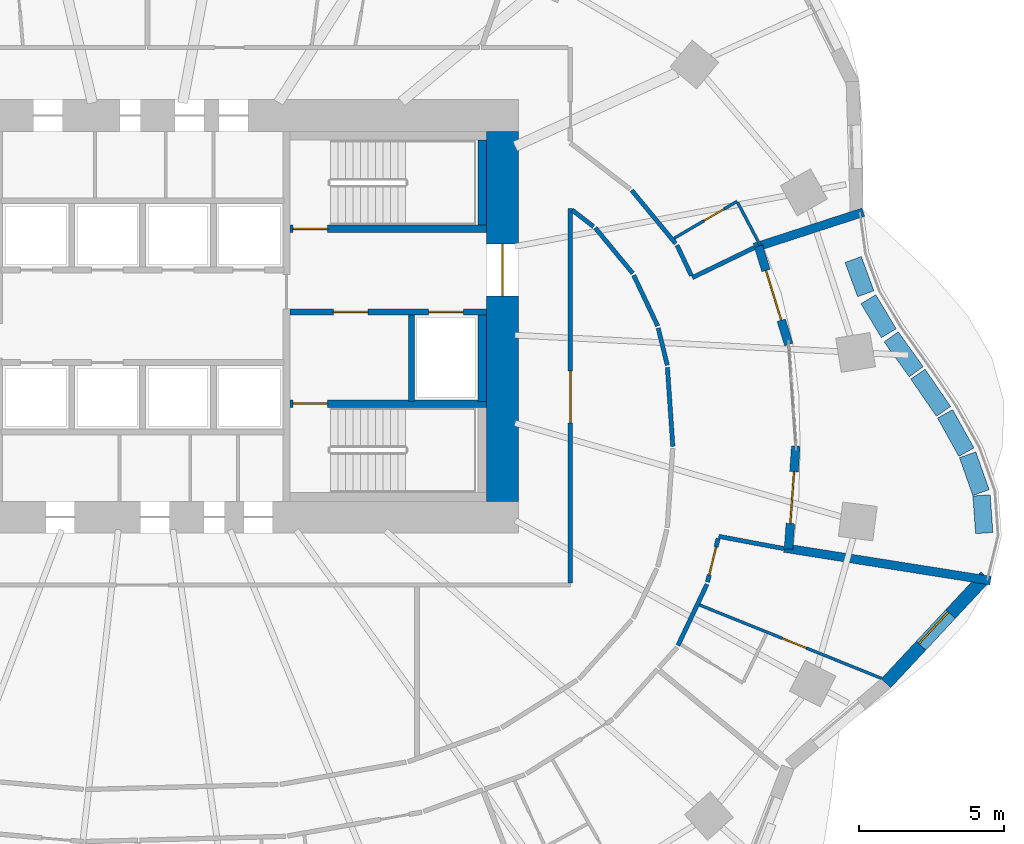
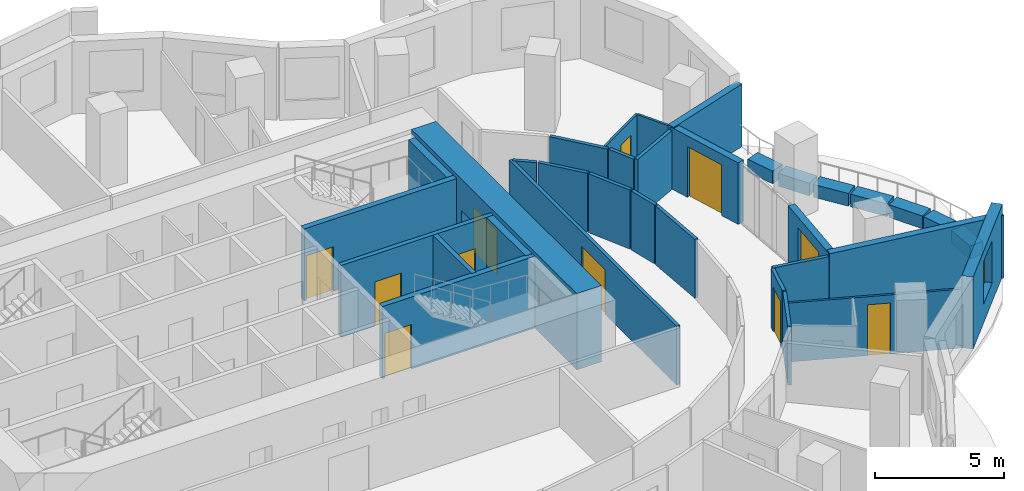
# One storey, part 8 of 13: 34 walls, 11 doors, 1 window, 12 openings.
"""IFC4 building model written with IfcOpenShell, lengths in metres."""

from ifc_helpers import new_model, si_unit, direction, frame, frame_2d, origin, place, context, subcontext, project, spatial, rectangle, extrude, material, layer, layer_set, type_object, element, fill, save


model = new_model("IFC4")

# Units and contexts
model_context = context("Model", 3, precision=1e-05, world=origin(), true_north=direction((0.0, 1.0)))
body_context = subcontext(model_context, "Body", "Model", "MODEL_VIEW")
ifc_project = project(units=[si_unit("LENGTHUNIT", "METRE"), si_unit("AREAUNIT", "SQUARE_METRE"), si_unit("VOLUMEUNIT", "CUBIC_METRE"), si_unit("PLANEANGLEUNIT", "RADIAN"), si_unit("MASSUNIT", "GRAM", prefix="KILO")], contexts=[model_context])

# Site, building, storey
site_placement = place(None, origin())
site = spatial("IfcSite", under=ifc_project, at=site_placement, CompositionType="ELEMENT")
building_placement = place(site_placement, origin())
building = spatial("IfcBuilding", under=site, at=building_placement, Name="Rubra Terraces Tower", CompositionType="ELEMENT")
storey_placement = place(building_placement, frame((0.0, 0.0, 85.199951171875)))
storey = spatial("IfcBuildingStorey", under=building, at=storey_placement, Name="L19", CompositionType="ELEMENT", Elevation=85.199951171875)

# Wall, opening, window
ifc_material_1 = material(Name="Brick masonry red-brown", Category="masonry")
ifc_layer_1 = layer(ifc_material_1, 0.449951171875)
ifc_layer_set_1 = layer_set([ifc_layer_1], Name="Brick masonry red-brown")
wall_type_1 = type_object("IfcWallType", Name="Brick facade wall 450", PredefinedType="SOLIDWALL", material=ifc_layer_set_1)
wall_1_placement = place(storey_placement, frame((25.716796875, -8.20068359375, 0.0), z_axis=(0.0, 0.0, 1.0), x_axis=(0.681990073025, 0.731361429319, 0.0)))
wall_1 = element("IfcWall", 1, at=wall_1_placement, inside=storey, type_object=wall_type_1, Name="Facade wall L19 bay 39", PredefinedType="SOLIDWALL", context=body_context, shape_type="SweptSolid", body=[
    extrude(rectangle(XDim=5.063720703125, YDim=0.449951171875, at=frame_2d((2.53173828125, 0.0))), origin(), (0.0, 0.0, 1.0), 3.400146484375),
])
opening_1_placement = place(wall_1_placement, frame((1.78173828125, 0.0, 0.89990234375)))
opening_1 = element("IfcOpeningElement", 2, at=opening_1_placement, cuts=wall_1, Name="Opening W7", PredefinedType="OPENING", context=body_context, shape_type="SweptSolid", body=[
    extrude(rectangle(XDim=1.5, YDim=2.0, at=frame_2d((0.75, 1.0))), frame((0.0, 0.23486328125, 0.0), z_axis=(0.0, -1.0, 0.0), x_axis=(1.0, 0.0, 0.0)), (0.0, 0.0, 1.0), 0.469970703125),
])
ifc_material_2 = material(Name="Clear glass in aluminium frame", Category="aluminium")
window_type = type_object("IfcWindowType", Name="Fixed deep-set window beside terrace 1500 x 2000", PartitioningType="SINGLE_PANEL", PredefinedType="WINDOW", material=ifc_material_2)
window_placement = place(opening_1_placement, origin())
window = element("IfcWindow", 3, at=window_placement, inside=storey, type_object=window_type, Name="Window L19 bay 39", OverallHeight=2.0, OverallWidth=1.5, PartitioningType="SINGLE_PANEL", PredefinedType="WINDOW", context=body_context, shape_type="SweptSolid", body=[
    extrude(rectangle(XDim=1.5, YDim=2.0, at=frame_2d((0.75, 1.0))), frame((0.0, 0.135009765625, 0.0), z_axis=(0.0, -1.0, 0.0), x_axis=(1.0, 0.0, 0.0)), (0.0, 0.0, 1.0), 0.06005859375),
])
fill(opening_1, window)

# Wall, opening, door
ifc_material_3 = material(Name="Concrete C60", Category="concrete")
ifc_layer_2 = layer(ifc_material_3, 1.10009765625)
ifc_layer_set_2 = layer_set([ifc_layer_2], Name="Concrete C60")
wall_type_2 = type_object("IfcWallType", Name="CORE WALL 1100 C60", PredefinedType="SHEAR", material=ifc_layer_set_2)
wall_2_placement = place(storey_placement, frame((12.449951171875, -1.89990234375, 0.0), z_axis=(0.0, 0.0, 1.0), x_axis=(0.0, 1.0, 0.0)))
wall_2 = element("IfcWall", 4, at=wall_2_placement, inside=storey, type_object=wall_type_2, Name="CORE WALL E L19", PredefinedType="SHEAR", context=body_context, shape_type="SweptSolid", body=[
    extrude(rectangle(XDim=12.7998046875, YDim=1.10009765625, at=frame_2d((6.39990234375, 0.0))), origin(), (0.0, 0.0, 1.0), 3.60009765625),
])
opening_2_placement = place(wall_2_placement, frame((7.10009765625, 0.0, 0.0)))
opening_2 = element("IfcOpeningElement", 5, at=opening_2_placement, cuts=wall_2, Name="Opening L19.C02", PredefinedType="OPENING", context=body_context, shape_type="SweptSolid", body=[
    extrude(rectangle(XDim=1.800048828125, YDim=2.10009765625, at=frame_2d((0.89990234375, 1.050048828125))), frame((0.0, 0.56005859375, 0.0), z_axis=(0.0, -1.0, 0.0), x_axis=(1.0, 0.0, 0.0)), (0.0, 0.0, 1.0), 1.1201171875),
])
ifc_material_4 = material(Name="Painted steel", Category="steel")
door_type_1 = type_object("IfcDoorType", Name="Fire door 1800x2100 double", OperationType="NOTDEFINED", PredefinedType="DOOR", material=ifc_material_4)
door_1_placement = place(opening_2_placement, origin())
door_1 = element("IfcDoor", 6, at=door_1_placement, inside=storey, type_object=door_type_1, Name="Core entrance door FF2", OperationType="DOUBLE_DOOR_SINGLE_SWING", OverallHeight=2.10009765625, OverallWidth=1.800048828125, PredefinedType="DOOR", context=body_context, shape_type="SweptSolid", body=[
    extrude(rectangle(XDim=1.800048828125, YDim=2.10009765625, at=frame_2d((0.89990234375, 1.050048828125))), frame((0.0, 0.02490234375, 0.0), z_axis=(0.0, -1.0, 0.0), x_axis=(1.0, 0.0, 0.0)), (0.0, 0.0, 1.0), 0.050048828125),
])
fill(opening_2, door_1)

# Walls
ifc_material_5 = material(Name="Plasterboard on steel stud, mineral wool infill", Category="steel")
ifc_layer_3 = layer(ifc_material_5, 0.14990234375)
ifc_layer_set_3 = layer_set([ifc_layer_3], Name="Plasterboard on steel stud, mineral wool infill")
wall_type_3 = type_object("IfcWallType", Name="CORRIDOR PARTITION 150", PredefinedType="PARTITIONING", material=ifc_layer_set_3)
wall_3_placement = place(storey_placement, frame((22.189208984375, -3.538818359375, 0.0), z_axis=(0.0, 0.0, 1.0), x_axis=(-0.982828866566, 0.184519427283, 0.0)))
element("IfcWall", 7, at=wall_3_placement, inside=storey, type_object=wall_type_3, Name="PARTITION", PredefinedType="PARTITIONING", context=body_context, shape_type="SweptSolid", body=[
    extrude(rectangle(XDim=2.29833984375, YDim=0.14990234375, at=frame_2d((1.149169921875, 0.0))), origin(), (0.0, 0.0, 1.0), 2.783935546875),
])
wall_4_placement = place(storey_placement, frame((21.15869140625, 6.87255859375, 0.0), z_axis=(0.0, 0.0, 1.0), x_axis=(-0.900189148747, -0.435499134876, 0.0)))
element("IfcWall", 8, at=wall_4_placement, inside=storey, type_object=wall_type_3, Name="PARTITION", PredefinedType="PARTITIONING", context=body_context, shape_type="SweptSolid", body=[
    extrude(rectangle(XDim=2.375244140625, YDim=0.14990234375, at=frame_2d((1.1875, 0.0))), origin(), (0.0, 0.0, 1.0), 2.783935546875),
])
wall_5_placement = place(storey_placement, frame((18.988525390625, 5.906005859375, 0.0), z_axis=(0.0, 0.0, 1.0), x_axis=(-0.428176390424, 0.903695180181, 0.0)))
element("IfcWall", 9, at=wall_5_placement, inside=storey, type_object=wall_type_3, Name="PARTITION", PredefinedType="PARTITIONING", context=body_context, shape_type="SweptSolid", body=[
    extrude(rectangle(XDim=1.16552734375, YDim=0.14990234375, at=frame_2d((0.582763671875, 0.0))), origin(), (0.0, 0.0, 1.0), 2.783935546875),
])
wall_6_placement = place(storey_placement, frame((18.44189453125, 7.01708984375, 0.0), z_axis=(0.0, 0.0, 1.0), x_axis=(-0.636538018119, 0.7712453251, 0.0)))
element("IfcWall", 10, at=wall_6_placement, inside=storey, type_object=wall_type_3, Name="PARTITION", PredefinedType="PARTITIONING", context=body_context, shape_type="SweptSolid", body=[
    extrude(rectangle(XDim=2.388671875, YDim=0.14990234375, at=frame_2d((1.1943359375, 0.0))), origin(), (0.0, 0.0, 1.0), 2.783935546875),
])
wall_7_placement = place(storey_placement, frame((18.521728515625, -6.891357421875, 0.0), z_axis=(0.0, 0.0, 1.0), x_axis=(0.428157819028, 0.903703979191, 0.0)))
element("IfcWall", 11, at=wall_7_placement, inside=storey, type_object=wall_type_3, Name="PARTITION", PredefinedType="PARTITIONING", context=body_context, shape_type="SweptSolid", body=[
    extrude(rectangle(XDim=2.349365234375, YDim=0.14990234375, at=frame_2d((1.1748046875, 0.0))), origin(), (0.0, 0.0, 1.0), 2.783935546875),
])

# Wall, opening, door
wall_8_placement = place(storey_placement, frame((19.54541015625, -4.695556640625, 0.0), z_axis=(0.0, 0.0, 1.0), x_axis=(0.236608489862, 0.971605075391, 0.0)))
wall_8 = element("IfcWall", 12, at=wall_8_placement, inside=storey, type_object=wall_type_3, Name="PARTITION", PredefinedType="PARTITIONING", context=body_context, shape_type="SweptSolid", body=[
    extrude(rectangle(XDim=1.5517578125, YDim=0.14990234375, at=frame_2d((0.77587890625, 0.0))), origin(), (0.0, 0.0, 1.0), 2.783935546875),
])
opening_3_placement = place(wall_8_placement, frame((0.25, 0.0, 0.0)))
opening_3 = element("IfcOpeningElement", 13, at=opening_3_placement, cuts=wall_8, Name="Opening 19-129", PredefinedType="OPENING", context=body_context, shape_type="SweptSolid", body=[
    extrude(rectangle(XDim=1.0, YDim=2.10009765625, at=frame_2d((0.5, 1.050048828125))), frame((0.0, 0.0849609375, 0.0), z_axis=(0.0, -1.0, 0.0), x_axis=(1.0, 0.0, 0.0)), (0.0, 0.0, 1.0), 0.169921875),
])
ifc_material_6 = material(Name="Painted timber door leaf", Category="wood")
door_type_2 = type_object("IfcDoorType", Name="ROOM DOOR 1000 X 2100", OperationType="SINGLE_SWING_LEFT", PredefinedType="DOOR", material=ifc_material_6)
door_2_placement = place(opening_3_placement, origin())
door_2 = element("IfcDoor", 14, at=door_2_placement, inside=storey, type_object=door_type_2, Name="DOOR 19-129", OperationType="SINGLE_SWING_RIGHT", OverallHeight=2.10009765625, OverallWidth=1.0, PredefinedType="DOOR", context=body_context, shape_type="SweptSolid", body=[
    extrude(rectangle(XDim=1.0, YDim=2.10009765625, at=frame_2d((0.5, 1.050048828125))), frame((0.0, 0.02490234375, 0.0), z_axis=(0.0, -1.0, 0.0), x_axis=(1.0, 0.0, 0.0)), (0.0, 0.0, 1.0), 0.050048828125),
])
fill(opening_3, door_2)

# Walls
wall_9_placement = place(storey_placement, frame((15.66162109375, 7.557861328125, 0.0), z_axis=(0.0, 0.0, 1.0), x_axis=(0.636500564941, -0.7712762351, 0.0)))
element("IfcWall", 15, at=wall_9_placement, inside=storey, type_object=wall_type_3, Name="PARTITION", PredefinedType="PARTITIONING", context=body_context, shape_type="SweptSolid", body=[
    extrude(rectangle(XDim=2.037841796875, YDim=0.14990234375, at=frame_2d((1.01904296875, 0.0))), origin(), (0.0, 0.0, 1.0), 2.783935546875),
])
wall_10_placement = place(storey_placement, frame((16.990966796875, 5.918212890625, 0.0), z_axis=(0.0, 0.0, 1.0), x_axis=(0.428199863362, -0.903684058185, 0.0)))
element("IfcWall", 16, at=wall_10_placement, inside=storey, type_object=wall_type_3, Name="PARTITION", PredefinedType="PARTITIONING", context=body_context, shape_type="SweptSolid", body=[
    extrude(rectangle(XDim=1.94140625, YDim=0.14990234375, at=frame_2d((0.970703125, 0.0))), origin(), (0.0, 0.0, 1.0), 2.783935546875),
])
wall_11_placement = place(storey_placement, frame((17.840087890625, 4.0908203125, 0.0), z_axis=(0.0, 0.0, 1.0), x_axis=(0.236653741324, -0.971594054489, 0.0)))
element("IfcWall", 17, at=wall_11_placement, inside=storey, type_object=wall_type_3, Name="PARTITION", PredefinedType="PARTITIONING", context=body_context, shape_type="SweptSolid", body=[
    extrude(rectangle(XDim=1.319580078125, YDim=0.14990234375, at=frame_2d((0.65966796875, 0.0))), origin(), (0.0, 0.0, 1.0), 2.783935546875),
])
wall_12_placement = place(storey_placement, frame((18.157470703125, 2.734130859375, 0.0), z_axis=(0.0, 0.0, 1.0), x_axis=(0.068328193832, -0.997662897941, 0.0)))
element("IfcWall", 18, at=wall_12_placement, inside=storey, type_object=wall_type_3, Name="PARTITION", PredefinedType="PARTITIONING", context=body_context, shape_type="SweptSolid", body=[
    extrude(rectangle(XDim=2.740478515625, YDim=0.14990234375, at=frame_2d((1.3701171875, 0.0))), origin(), (0.0, 0.0, 1.0), 2.783935546875),
])

# Wall, opening, door
wall_13_placement = place(storey_placement, frame((14.800048828125, -4.72509765625, 0.0), z_axis=(0.0, 0.0, 1.0), x_axis=(0.0, 1.0, 0.0)))
wall_13 = element("IfcWall", 19, at=wall_13_placement, inside=storey, type_object=wall_type_3, Name="PARTITION", PredefinedType="PARTITIONING", context=body_context, shape_type="SweptSolid", body=[
    extrude(rectangle(XDim=12.947998046875, YDim=0.14990234375, at=frame_2d((6.47412109375, 0.0))), origin(), (0.0, 0.0, 1.0), 2.783935546875),
])
opening_4_placement = place(wall_13_placement, frame((5.535888671875, 0.0, 0.0)))
opening_4 = element("IfcOpeningElement", 20, at=opening_4_placement, cuts=wall_13, Name="Opening 19-132", PredefinedType="OPENING", context=body_context, shape_type="SweptSolid", body=[
    extrude(rectangle(XDim=1.800048828125, YDim=2.10009765625, at=frame_2d((0.89990234375, 1.050048828125))), frame((0.0, 0.0849609375, 0.0), z_axis=(0.0, -1.0, 0.0), x_axis=(1.0, 0.0, 0.0)), (0.0, 0.0, 1.0), 0.169921875),
])
ifc_material_7 = material(Name="Painted timber door leaf, double", Category="wood")
door_type_3 = type_object("IfcDoorType", Name="ROOM DOUBLE DOOR 1800 X 2100", OperationType="DOUBLE_DOOR_SINGLE_SWING", PredefinedType="DOOR", material=ifc_material_7)
door_3_placement = place(opening_4_placement, origin())
door_3 = element("IfcDoor", 21, at=door_3_placement, inside=storey, type_object=door_type_3, Name="DOOR 19-132", OperationType="DOUBLE_DOOR_SINGLE_SWING", OverallHeight=2.10009765625, OverallWidth=1.800048828125, PredefinedType="DOOR", context=body_context, shape_type="SweptSolid", body=[
    extrude(rectangle(XDim=1.800048828125, YDim=2.10009765625, at=frame_2d((0.89990234375, 1.050048828125))), frame((0.0, 0.02490234375, 0.0), z_axis=(0.0, -1.0, 0.0), x_axis=(1.0, 0.0, 0.0)), (0.0, 0.0, 1.0), 0.050048828125),
])
fill(opening_4, door_3)

# Walls
wall_14_placement = place(storey_placement, frame((14.859375, 8.177001953125, 0.0), z_axis=(0.0, 0.0, 1.0), x_axis=(0.791588113465, -0.611055037309, 0.0)))
element("IfcWall", 22, at=wall_14_placement, inside=storey, type_object=wall_type_3, Name="PARTITION", PredefinedType="PARTITIONING", context=body_context, shape_type="SweptSolid", body=[
    extrude(rectangle(XDim=0.9384765625, YDim=0.14990234375, at=frame_2d((0.46923828125, 0.0))), origin(), (0.0, 0.0, 1.0), 2.783935546875),
])
ifc_material_8 = material(Name="Concrete C40", Category="concrete")
ifc_layer_4 = layer(ifc_material_8, 0.300048828125)
ifc_layer_set_4 = layer_set([ifc_layer_4], Name="Concrete C40")
wall_type_4 = type_object("IfcWallType", Name="Core lining wall 300 concrete", PredefinedType="SOLIDWALL", material=ifc_layer_set_4)
wall_15_placement = place(storey_placement, frame((11.75, 10.60009765625, 0.0), z_axis=(0.0, 0.0, 1.0), x_axis=(0.0, -1.0, 0.0)))
element("IfcWall", 23, at=wall_15_placement, inside=storey, type_object=wall_type_4, Name="CORE LINING WALL L19", PredefinedType="SOLIDWALL", context=body_context, shape_type="SweptSolid", body=[
    extrude(rectangle(XDim=2.9501953125, YDim=0.300048828125, at=frame_2d((1.47509765625, 0.0))), origin(), (0.0, 0.0, 1.0), 3.400146484375),
])
wall_16_placement = place(storey_placement, frame((11.75, 4.550048828125, 0.0), z_axis=(0.0, 0.0, 1.0), x_axis=(0.0, -1.0, 0.0)))
element("IfcWall", 24, at=wall_16_placement, inside=storey, type_object=wall_type_4, Name="CORE LINING WALL L19", PredefinedType="SOLIDWALL", context=body_context, shape_type="SweptSolid", body=[
    extrude(rectangle(XDim=3.0, YDim=0.300048828125, at=frame_2d((1.5, 0.0))), origin(), (0.0, 0.0, 1.0), 3.400146484375),
])

# Wall, openings, doors
ifc_material_9 = material(Name="Concrete C30", Category="concrete")
ifc_layer_5 = layer(ifc_material_9, 0.199951171875)
ifc_layer_set_5 = layer_set([ifc_layer_5], Name="Concrete C30")
wall_type_5 = type_object("IfcWallType", Name="Core wall 200 concrete", PredefinedType="SOLIDWALL", material=ifc_layer_set_5)
wall_17_placement = place(storey_placement, frame((11.89990234375, 4.64990234375, 0.0), z_axis=(0.0, 0.0, 1.0), x_axis=(-1.0, 0.0, 0.0)))
wall_17 = element("IfcWall", 25, at=wall_17_placement, inside=storey, type_object=wall_type_5, Name="STAIR WALL L19", PredefinedType="SOLIDWALL", context=body_context, shape_type="SweptSolid", body=[
    extrude(rectangle(XDim=6.7998046875, YDim=0.199951171875, at=frame_2d((3.39990234375, 0.0))), origin(), (0.0, 0.0, 1.0), 3.400146484375),
])
opening_5_placement = place(wall_17_placement, frame((4.10009765625, 0.0, 0.0)))
opening_5 = element("IfcOpeningElement", 26, at=opening_5_placement, cuts=wall_17, Name="Opening L19.C06", PredefinedType="OPENING", context=body_context, shape_type="SweptSolid", body=[
    extrude(rectangle(XDim=1.199951171875, YDim=2.10009765625, at=frame_2d((0.60009765625, 1.050048828125))), frame((0.0, 0.10986328125, 0.0), z_axis=(0.0, -1.0, 0.0), x_axis=(1.0, 0.0, 0.0)), (0.0, 0.0, 1.0), 0.219970703125),
])
opening_6_placement = place(wall_17_placement, frame((0.800048828125, 0.0, 0.0)))
opening_6 = element("IfcOpeningElement", 27, at=opening_6_placement, cuts=wall_17, Name="Opening L19.C12", PredefinedType="OPENING", context=body_context, shape_type="SweptSolid", body=[
    extrude(rectangle(XDim=1.199951171875, YDim=2.10009765625, at=frame_2d((0.60009765625, 1.050048828125))), frame((0.0, 0.10986328125, 0.0), z_axis=(0.0, -1.0, 0.0), x_axis=(1.0, 0.0, 0.0)), (0.0, 0.0, 1.0), 0.219970703125),
])
door_type_4 = type_object("IfcDoorType", Name="Fire door 1200x2100 single", OperationType="NOTDEFINED", PredefinedType="DOOR", material=ifc_material_4)
door_4_placement = place(opening_5_placement, origin())
door_4 = element("IfcDoor", 28, at=door_4_placement, inside=storey, type_object=door_type_4, Name="Stair vestibule door S4", OperationType="SINGLE_SWING_RIGHT", OverallHeight=2.10009765625, OverallWidth=1.199951171875, PredefinedType="DOOR", context=body_context, shape_type="SweptSolid", body=[
    extrude(rectangle(XDim=1.199951171875, YDim=2.10009765625, at=frame_2d((0.60009765625, 1.050048828125))), frame((0.0, 0.02490234375, 0.0), z_axis=(0.0, -1.0, 0.0), x_axis=(1.0, 0.0, 0.0)), (0.0, 0.0, 1.0), 0.050048828125),
])
fill(opening_5, door_4)
ifc_material_10 = material(Name="Stainless steel", Category="steel")
door_type_5 = type_object("IfcDoorType", Name="Lift landing door 1200x2100", OperationType="NOTDEFINED", PredefinedType="DOOR", material=ifc_material_10)
door_5_placement = place(opening_6_placement, origin())
door_5 = element("IfcDoor", 29, at=door_5_placement, inside=storey, type_object=door_type_5, Name="Landing door FF2", OperationType="SLIDING_TO_RIGHT", OverallHeight=2.10009765625, OverallWidth=1.199951171875, PredefinedType="DOOR", context=body_context, shape_type="SweptSolid", body=[
    extrude(rectangle(XDim=1.199951171875, YDim=2.10009765625, at=frame_2d((0.60009765625, 1.050048828125))), frame((0.0, 0.02490234375, 0.0), z_axis=(0.0, -1.0, 0.0), x_axis=(1.0, 0.0, 0.0)), (0.0, 0.0, 1.0), 0.050048828125),
])
fill(opening_6, door_5)

# Wall
wall_18_placement = place(storey_placement, frame((9.300048828125, 4.550048828125, 0.0), z_axis=(0.0, 0.0, 1.0), x_axis=(0.0, -1.0, 0.0)))
element("IfcWall", 30, at=wall_18_placement, inside=storey, type_object=wall_type_5, Name="STAIR WALL L19", PredefinedType="SOLIDWALL", context=body_context, shape_type="SweptSolid", body=[
    extrude(rectangle(XDim=3.0, YDim=0.199951171875, at=frame_2d((1.5, 0.0))), origin(), (0.0, 0.0, 1.0), 3.400146484375),
])

# Wall, opening, door
ifc_material_11 = material(Name="Brick masonry with ochre lime render", Category="masonry")
ifc_layer_6 = layer(ifc_material_11, 0.300048828125)
ifc_layer_set_6 = layer_set([ifc_layer_6], Name="Brick masonry with ochre lime render")
wall_type_6 = type_object("IfcWallType", Name="Ochre rendered brick wall 300", PredefinedType="SOLIDWALL", material=ifc_layer_set_6)
wall_19_placement = place(storey_placement, frame((22.355712890625, 3.52001953125, 0.0), z_axis=(0.0, 0.0, 1.0), x_axis=(-0.293609133774, 0.955925560159, 0.0)))
wall_19 = element("IfcWall", 31, at=wall_19_placement, inside=storey, type_object=wall_type_6, Name="Terrace wall L19 bay 2", PredefinedType="SOLIDWALL", context=body_context, shape_type="SweptSolid", body=[
    extrude(rectangle(XDim=3.56298828125, YDim=0.300048828125, at=frame_2d((1.781494140625, 0.0))), origin(), (0.0, 0.0, 1.0), 2.904052734375),
])
opening_7_placement = place(wall_19_placement, frame((0.881591796875, 0.0, 0.0)))
opening_7 = element("IfcOpeningElement", 32, at=opening_7_placement, cuts=wall_19, Name="Opening T19.2", PredefinedType="OPENING", context=body_context, shape_type="SweptSolid", body=[
    extrude(rectangle(XDim=1.800048828125, YDim=2.39990234375, at=frame_2d((0.89990234375, 1.199951171875))), frame((0.0, 0.159912109375, 0.0), z_axis=(0.0, -1.0, 0.0), x_axis=(1.0, 0.0, 0.0)), (0.0, 0.0, 1.0), 0.320068359375),
])
ifc_material_12 = material(Name="Glazed aluminium door leaf", Category="aluminium")
door_type_6 = type_object("IfcDoorType", Name="Terrace double door 1800 x 2400", OperationType="DOUBLE_DOOR_DOUBLE_SWING", PredefinedType="DOOR", material=ifc_material_12)
door_6_placement = place(opening_7_placement, origin())
door_6 = element("IfcDoor", 33, at=door_6_placement, inside=storey, type_object=door_type_6, Name="Terrace door L19.2", OperationType="DOUBLE_DOOR_DOUBLE_SWING", OverallHeight=2.39990234375, OverallWidth=1.800048828125, PredefinedType="DOOR", context=body_context, shape_type="SweptSolid", body=[
    extrude(rectangle(XDim=1.800048828125, YDim=2.39990234375, at=frame_2d((0.89990234375, 1.199951171875))), frame((0.0, 0.02490234375, 0.0), z_axis=(0.0, -1.0, 0.0), x_axis=(1.0, 0.0, 0.0)), (0.0, 0.0, 1.0), 0.050048828125),
])
fill(opening_7, door_6)

wall_20_placement = place(storey_placement, frame((22.349365234375, -3.553466796875, 0.0), z_axis=(0.0, 0.0, 1.0), x_axis=(0.070246642253, 0.99752965332, 0.0)))
wall_20 = element("IfcWall", 34, at=wall_20_placement, inside=storey, type_object=wall_type_6, Name="Terrace wall L19 bay 40", PredefinedType="SOLIDWALL", context=body_context, shape_type="SweptSolid", body=[
    extrude(rectangle(XDim=3.57275390625, YDim=0.300048828125, at=frame_2d((1.786376953125, 0.0))), origin(), (0.0, 0.0, 1.0), 2.904052734375),
])
opening_8_placement = place(wall_20_placement, frame((0.886474609375, 0.0, 0.0)))
opening_8 = element("IfcOpeningElement", 35, at=opening_8_placement, cuts=wall_20, Name="Opening T19.1", PredefinedType="OPENING", context=body_context, shape_type="SweptSolid", body=[
    extrude(rectangle(XDim=1.800048828125, YDim=2.39990234375, at=frame_2d((0.89990234375, 1.199951171875))), frame((0.0, 0.159912109375, 0.0), z_axis=(0.0, -1.0, 0.0), x_axis=(1.0, 0.0, 0.0)), (0.0, 0.0, 1.0), 0.320068359375),
])
door_7_placement = place(opening_8_placement, origin())
door_7 = element("IfcDoor", 36, at=door_7_placement, inside=storey, type_object=door_type_6, Name="Terrace door L19.1", OperationType="DOUBLE_DOOR_DOUBLE_SWING", OverallHeight=2.39990234375, OverallWidth=1.800048828125, PredefinedType="DOOR", context=body_context, shape_type="SweptSolid", body=[
    extrude(rectangle(XDim=1.800048828125, YDim=2.39990234375, at=frame_2d((0.89990234375, 1.199951171875))), frame((0.0, 0.02490234375, 0.0), z_axis=(0.0, -1.0, 0.0), x_axis=(1.0, 0.0, 0.0)), (0.0, 0.0, 1.0), 0.050048828125),
])
fill(opening_8, door_7)

# Walls
ifc_layer_7 = layer(ifc_material_11, 0.60009765625)
ifc_layer_set_7 = layer_set([ifc_layer_7], Name="Brick masonry with ochre lime render")
wall_type_7 = type_object("IfcWallType", Name="Planter box 600", PredefinedType="SOLIDWALL", material=ifc_layer_set_7)
wall_21_placement = place(storey_placement, frame((29.118408203125, -3.00048828125, 0.0), z_axis=(0.0, 0.0, 1.0), x_axis=(-0.070251176174, 0.997529334028, 0.0)))
element("IfcWall", 37, at=wall_21_placement, inside=storey, type_object=wall_type_7, Name="Planter L19.2", PredefinedType="SOLIDWALL", context=body_context, shape_type="SweptSolid", body=[
    extrude(rectangle(XDim=1.306640625, YDim=0.60009765625, at=frame_2d((0.6533203125, 0.0))), origin(), (0.0, 0.0, 1.0), 0.60009765625),
])
wall_22_placement = place(storey_placement, frame((29.00634765625, -1.60009765625, 0.0), z_axis=(0.0, 0.0, 1.0), x_axis=(-0.333059262574, 0.942905895418, 0.0)))
element("IfcWall", 38, at=wall_22_placement, inside=storey, type_object=wall_type_7, Name="Planter L19.3", PredefinedType="SOLIDWALL", context=body_context, shape_type="SweptSolid", body=[
    extrude(rectangle(XDim=1.388427734375, YDim=0.60009765625, at=frame_2d((0.6943359375, 0.0))), origin(), (0.0, 0.0, 1.0), 0.60009765625),
])
wall_23_placement = place(storey_placement, frame((28.5029296875, -0.2001953125, 0.0), z_axis=(0.0, 0.0, 1.0), x_axis=(-0.487309084613, 0.873229555188, 0.0)))
element("IfcWall", 39, at=wall_23_placement, inside=storey, type_object=wall_type_7, Name="Planter L19.4", PredefinedType="SOLIDWALL", context=body_context, shape_type="SweptSolid", body=[
    extrude(rectangle(XDim=1.51708984375, YDim=0.60009765625, at=frame_2d((0.758544921875, 0.0))), origin(), (0.0, 0.0, 1.0), 0.60009765625),
])
wall_24_placement = place(storey_placement, frame((27.7109375, 1.20947265625, 0.0), z_axis=(0.0, 0.0, 1.0), x_axis=(-0.566952508373, 0.823750479969, 0.0)))
element("IfcWall", 40, at=wall_24_placement, inside=storey, type_object=wall_type_7, Name="Planter L19.5", PredefinedType="SOLIDWALL", context=body_context, shape_type="SweptSolid", body=[
    extrude(rectangle(XDim=1.56494140625, YDim=0.60009765625, at=frame_2d((0.782470703125, 0.0))), origin(), (0.0, 0.0, 1.0), 0.60009765625),
])
wall_25_placement = place(storey_placement, frame((26.76611328125, 2.580322265625, 0.0), z_axis=(0.0, 0.0, 1.0), x_axis=(-0.583162336475, 0.81235564214, 0.0)))
element("IfcWall", 41, at=wall_25_placement, inside=storey, type_object=wall_type_7, Name="Planter L19.6", PredefinedType="SOLIDWALL", context=body_context, shape_type="SweptSolid", body=[
    extrude(rectangle(XDim=1.487060546875, YDim=0.60009765625, at=frame_2d((0.74365234375, 0.0))), origin(), (0.0, 0.0, 1.0), 0.60009765625),
])
wall_26_placement = place(storey_placement, frame((25.8173828125, 3.912353515625, 0.0), z_axis=(0.0, 0.0, 1.0), x_axis=(-0.514600349419, 0.857430160642, 0.0)))
element("IfcWall", 42, at=wall_26_placement, inside=storey, type_object=wall_type_7, Name="Planter L19.8", PredefinedType="SOLIDWALL", context=body_context, shape_type="SweptSolid", body=[
    extrude(rectangle(XDim=1.373046875, YDim=0.60009765625, at=frame_2d((0.6865234375, 0.0))), origin(), (0.0, 0.0, 1.0), 0.60009765625),
])
wall_27_placement = place(storey_placement, frame((25.02001953125, 5.27978515625, 0.0), z_axis=(0.0, 0.0, 1.0), x_axis=(-0.344709570527, 0.938709386332, 0.0)))
element("IfcWall", 43, at=wall_27_placement, inside=storey, type_object=wall_type_7, Name="Planter L19.11", PredefinedType="SOLIDWALL", context=body_context, shape_type="SweptSolid", body=[
    extrude(rectangle(XDim=1.261474609375, YDim=0.60009765625, at=frame_2d((0.630859375, 0.0))), origin(), (0.0, 0.0, 1.0), 0.60009765625),
])

# Wall, opening, door
ifc_material_13 = material(Name="Plasterboard on steel stud", Category="steel")
ifc_layer_8 = layer(ifc_material_13, 0.10009765625)
ifc_layer_set_8 = layer_set([ifc_layer_8], Name="Plasterboard on steel stud")
wall_type_8 = type_object("IfcWallType", Name="ROOM PARTITION 100", PredefinedType="PARTITIONING", material=ifc_layer_set_8)
wall_28_placement = place(storey_placement, frame((18.38916015625, 7.197265625, 0.0), z_axis=(0.0, 0.0, 1.0), x_axis=(0.862703788794, 0.50570957357, 0.0)))
wall_28 = element("IfcWall", 44, at=wall_28_placement, inside=storey, type_object=wall_type_8, Name="PARTITION", PredefinedType="PARTITIONING", context=body_context, shape_type="SweptSolid", body=[
    extrude(rectangle(XDim=2.52490234375, YDim=0.10009765625, at=frame_2d((1.262451171875, 0.0))), origin(), (0.0, 0.0, 1.0), 2.783935546875),
])
opening_9_placement = place(wall_28_placement, frame((1.199951171875, 0.0, 0.0)))
opening_9 = element("IfcOpeningElement", 45, at=opening_9_placement, cuts=wall_28, Name="Opening 19-101", PredefinedType="OPENING", context=body_context, shape_type="SweptSolid", body=[
    extrude(rectangle(XDim=0.800048828125, YDim=2.10009765625, at=frame_2d((0.39990234375, 1.050048828125))), frame((0.0, 0.06005859375, 0.0), z_axis=(0.0, -1.0, 0.0), x_axis=(1.0, 0.0, 0.0)), (0.0, 0.0, 1.0), 0.1201171875),
])
door_type_7 = type_object("IfcDoorType", Name="BATHROOM DOOR 800 X 2100", OperationType="SINGLE_SWING_LEFT", PredefinedType="DOOR", material=ifc_material_6)
door_8_placement = place(opening_9_placement, origin())
door_8 = element("IfcDoor", 46, at=door_8_placement, inside=storey, type_object=door_type_7, Name="DOOR 19-101", OperationType="SINGLE_SWING_LEFT", OverallHeight=2.10009765625, OverallWidth=0.800048828125, PredefinedType="DOOR", context=body_context, shape_type="SweptSolid", body=[
    extrude(rectangle(XDim=0.800048828125, YDim=2.10009765625, at=frame_2d((0.39990234375, 1.050048828125))), frame((0.0, 0.02490234375, 0.0), z_axis=(0.0, -1.0, 0.0), x_axis=(1.0, 0.0, 0.0)), (0.0, 0.0, 1.0), 0.050048828125),
])
fill(opening_9, door_8)

# Wall
wall_29_placement = place(storey_placement, frame((20.5908203125, 8.4296875, 0.0), z_axis=(0.0, 0.0, 1.0), x_axis=(0.466402923902, -0.884572389675, 0.0)))
element("IfcWall", 47, at=wall_29_placement, inside=storey, type_object=wall_type_8, Name="PARTITION", PredefinedType="PARTITIONING", context=body_context, shape_type="SweptSolid", body=[
    extrude(rectangle(XDim=1.67041015625, YDim=0.10009765625, at=frame_2d((0.835205078125, 0.0))), origin(), (0.0, 0.0, 1.0), 2.783935546875),
])

# Wall, opening, door
wall_30_placement = place(storey_placement, frame((25.564453125, -8.026611328125, 0.0), z_axis=(0.0, 0.0, 1.0), x_axis=(-0.927456159862, 0.373931907618, 0.0)))
wall_30 = element("IfcWall", 48, at=wall_30_placement, inside=storey, type_object=wall_type_8, Name="PARTITION", PredefinedType="PARTITIONING", context=body_context, shape_type="SweptSolid", body=[
    extrude(rectangle(XDim=6.78759765625, YDim=0.10009765625, at=frame_2d((3.393798828125, 0.0))), origin(), (0.0, 0.0, 1.0), 2.783935546875),
])
opening_10_placement = place(wall_30_placement, frame((2.800048828125, 0.0, 0.0)))
opening_10 = element("IfcOpeningElement", 49, at=opening_10_placement, cuts=wall_30, Name="Opening 19-128", PredefinedType="OPENING", context=body_context, shape_type="SweptSolid", body=[
    extrude(rectangle(XDim=0.89990234375, YDim=2.39990234375, at=frame_2d((0.449951171875, 1.199951171875))), frame((0.0, 0.06005859375, 0.0), z_axis=(0.0, -1.0, 0.0), x_axis=(1.0, 0.0, 0.0)), (0.0, 0.0, 1.0), 0.1201171875),
])
ifc_material_14 = material(Name="Veneered timber door leaf, fire-rated", Category="wood")
door_type_8 = type_object("IfcDoorType", Name="SUITE ENTRANCE DOOR 900 X 2400", OperationType="SINGLE_SWING_LEFT", PredefinedType="DOOR", material=ifc_material_14)
door_9_placement = place(opening_10_placement, origin())
door_9 = element("IfcDoor", 50, at=door_9_placement, inside=storey, type_object=door_type_8, Name="DOOR 19-128", OperationType="SINGLE_SWING_LEFT", OverallHeight=2.39990234375, OverallWidth=0.89990234375, PredefinedType="DOOR", context=body_context, shape_type="SweptSolid", body=[
    extrude(rectangle(XDim=0.89990234375, YDim=2.39990234375, at=frame_2d((0.449951171875, 1.199951171875))), frame((0.0, 0.02490234375, 0.0), z_axis=(0.0, -1.0, 0.0), x_axis=(1.0, 0.0, 0.0)), (0.0, 0.0, 1.0), 0.050048828125),
])
fill(opening_10, door_9)

# Walls
ifc_material_15 = material(Name="Brick masonry with rose lime render", Category="masonry")
ifc_layer_9 = layer(ifc_material_15, 0.300048828125)
ifc_layer_set_9 = layer_set([ifc_layer_9], Name="Brick masonry with rose lime render")
wall_type_9 = type_object("IfcWallType", Name="Rose rendered brick wall 300", PredefinedType="SOLIDWALL", material=ifc_layer_set_9)
wall_31_placement = place(storey_placement, frame((29.337890625, -4.64697265625, 0.0), z_axis=(0.0, 0.0, 1.0), x_axis=(-0.9876932675, 0.156403354615, 0.0)))
element("IfcWall", 51, at=wall_31_placement, inside=storey, type_object=wall_type_9, Name="Terrace side wall L19.1", PredefinedType="SOLIDWALL", context=body_context, shape_type="SweptSolid", body=[
    extrude(rectangle(XDim=7.22412109375, YDim=0.300048828125, at=frame_2d((3.612060546875, 0.0))), origin(), (0.0, 0.0, 1.0), 2.9541015625),
])
wall_32_placement = place(storey_placement, frame((24.93408203125, 8.10107421875, 0.0), z_axis=(0.0, 0.0, 1.0), x_axis=(-0.951048111989, -0.309042858974, 0.0)))
element("IfcWall", 52, at=wall_32_placement, inside=storey, type_object=wall_type_9, Name="Terrace side wall L19.2", PredefinedType="SOLIDWALL", context=body_context, shape_type="SweptSolid", body=[
    extrude(rectangle(XDim=3.960205078125, YDim=0.300048828125, at=frame_2d((1.97998046875, 0.0))), origin(), (0.0, 0.0, 1.0), 2.9541015625),
])

# Wall, opening, door
ifc_layer_10 = layer(ifc_material_8, 0.25)
ifc_layer_set_10 = layer_set([ifc_layer_10], Name="Concrete C40")
wall_type_10 = type_object("IfcWallType", Name="Stair enclosure wall 250 concrete", PredefinedType="SOLIDWALL", material=ifc_layer_set_10)
wall_33_placement = place(storey_placement, frame((11.89990234375, 7.52490234375, 0.0), z_axis=(0.0, 0.0, 1.0), x_axis=(-1.0, 0.0, 0.0)))
wall_33 = element("IfcWall", 53, at=wall_33_placement, inside=storey, type_object=wall_type_10, Name="STAIR WALL L19", PredefinedType="SOLIDWALL", context=body_context, shape_type="SweptSolid", body=[
    extrude(rectangle(XDim=6.7998046875, YDim=0.25, at=frame_2d((3.39990234375, 0.0))), origin(), (0.0, 0.0, 1.0), 3.400146484375),
])
opening_11_placement = place(wall_33_placement, frame((5.5, 0.0, 0.0)))
opening_11 = element("IfcOpeningElement", 54, at=opening_11_placement, cuts=wall_33, Name="Opening L19.C08", PredefinedType="OPENING", context=body_context, shape_type="SweptSolid", body=[
    extrude(rectangle(XDim=1.199951171875, YDim=2.10009765625, at=frame_2d((0.60009765625, 1.050048828125))), frame((0.0, 0.135009765625, 0.0), z_axis=(0.0, -1.0, 0.0), x_axis=(1.0, 0.0, 0.0)), (0.0, 0.0, 1.0), 0.27001953125),
])
door_10_placement = place(opening_11_placement, origin())
door_10 = element("IfcDoor", 55, at=door_10_placement, inside=storey, type_object=door_type_4, Name="Stair door S3", OperationType="SINGLE_SWING_RIGHT", OverallHeight=2.10009765625, OverallWidth=1.199951171875, PredefinedType="DOOR", context=body_context, shape_type="SweptSolid", body=[
    extrude(rectangle(XDim=1.199951171875, YDim=2.10009765625, at=frame_2d((0.60009765625, 1.050048828125))), frame((0.0, 0.02490234375, 0.0), z_axis=(0.0, -1.0, 0.0), x_axis=(1.0, 0.0, 0.0)), (0.0, 0.0, 1.0), 0.050048828125),
])
fill(opening_11, door_10)

wall_34_placement = place(storey_placement, frame((11.89990234375, 1.47509765625, 0.0), z_axis=(0.0, 0.0, 1.0), x_axis=(-1.0, 0.0, 0.0)))
wall_34 = element("IfcWall", 56, at=wall_34_placement, inside=storey, type_object=wall_type_10, Name="STAIR WALL L19", PredefinedType="SOLIDWALL", context=body_context, shape_type="SweptSolid", body=[
    extrude(rectangle(XDim=6.7998046875, YDim=0.25, at=frame_2d((3.39990234375, 0.0))), origin(), (0.0, 0.0, 1.0), 3.400146484375),
])
opening_12_placement = place(wall_34_placement, frame((5.5, 0.0, 0.0)))
opening_12 = element("IfcOpeningElement", 57, at=opening_12_placement, cuts=wall_34, Name="Opening L19.C10", PredefinedType="OPENING", context=body_context, shape_type="SweptSolid", body=[
    extrude(rectangle(XDim=1.199951171875, YDim=2.10009765625, at=frame_2d((0.60009765625, 1.050048828125))), frame((0.0, 0.135009765625, 0.0), z_axis=(0.0, -1.0, 0.0), x_axis=(1.0, 0.0, 0.0)), (0.0, 0.0, 1.0), 0.27001953125),
])
door_11_placement = place(opening_12_placement, origin())
door_11 = element("IfcDoor", 58, at=door_11_placement, inside=storey, type_object=door_type_4, Name="Stair door S4", OperationType="SINGLE_SWING_RIGHT", OverallHeight=2.10009765625, OverallWidth=1.199951171875, PredefinedType="DOOR", context=body_context, shape_type="SweptSolid", body=[
    extrude(rectangle(XDim=1.199951171875, YDim=2.10009765625, at=frame_2d((0.60009765625, 1.050048828125))), frame((0.0, 0.02490234375, 0.0), z_axis=(0.0, -1.0, 0.0), x_axis=(1.0, 0.0, 0.0)), (0.0, 0.0, 1.0), 0.050048828125),
])
fill(opening_12, door_11)

save(model, "model.ifc")
